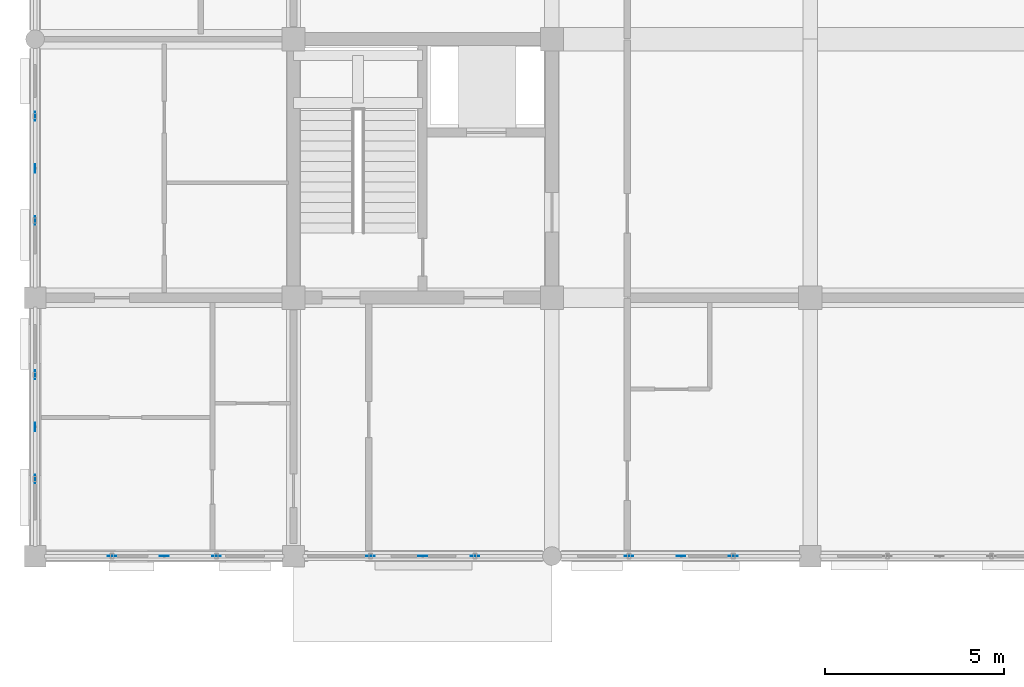
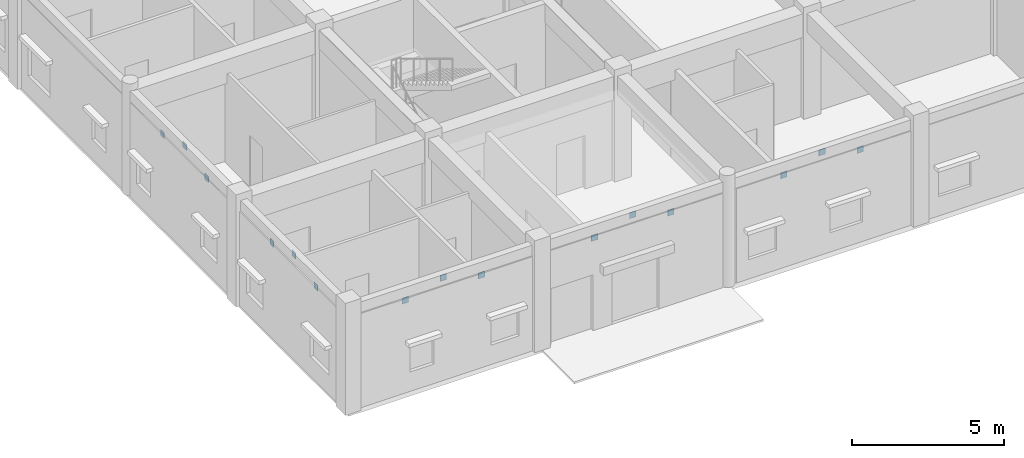
# One storey, part 64 of 138: 15 plates.
"""IFC4 building model written with IfcOpenShell, lengths in metres."""

from ifc_helpers import new_model, si_unit, direction, frame, origin, origin_2d, place, context, subcontext, project, spatial, rectangle, extrude, material, layer, layer_set, type_object, element, save


model = new_model("IFC4")

# Units and contexts
model_context = context("Model", 3, precision=1e-05, world=origin(), true_north=direction((0.0, 1.0)))
body_context = subcontext(model_context, "Body", "Model", "MODEL_VIEW")
ifc_project = project(units=[si_unit("LENGTHUNIT", "METRE"), si_unit("AREAUNIT", "SQUARE_METRE"), si_unit("VOLUMEUNIT", "CUBIC_METRE"), si_unit("PLANEANGLEUNIT", "RADIAN"), si_unit("MASSUNIT", "GRAM", prefix="KILO"), si_unit("THERMODYNAMICTEMPERATUREUNIT", "KELVIN"), si_unit("POWERUNIT", "WATT")], contexts=[model_context])

# Site, building, storey
site_placement = place(None, origin())
site = spatial("IfcSite", under=ifc_project, at=site_placement, CompositionType="ELEMENT")
building_placement = place(site_placement, origin())
building = spatial("IfcBuilding", under=site, at=building_placement, Name="Tavuni Mirador Residences", CompositionType="ELEMENT")
storey_placement = place(building_placement, origin())
storey = spatial("IfcBuildingStorey", under=building, at=storey_placement, Name="L00", CompositionType="ELEMENT", Elevation=0.0)

# Plates
ifc_material = material(Name="Structural steel S355", Category="steel")
ifc_layer = layer(ifc_material, 0.01806640625, Name="Structural steel S355", Category="steel")
ifc_layer_set = layer_set([ifc_layer], Name="Structural steel S355")
plate_type = type_object("IfcPlateType", Name="PLT-GP05", PredefinedType="USERDEFINED", material=ifc_layer_set)
for number, where, z_axis, x_axis, name in (
    (1, (3.60009765625, 9.347900390625, 3.4814453125), (0.0, 0.0, 1.0), (1.0, 0.0, 0.0), "ARCH-BLKA-W-00-GQ1"),
    (2, (3.60009765625, 10.800048828125, 3.89013671875), (0.0, 0.0, 1.0), (1.0, 0.0, 0.0), "ARCH-BLKA-W-00-GCR"),
    (3, (3.60009765625, 12.251953125, 3.4814453125), (0.0, 0.0, 1.0), (1.0, 0.0, 0.0), "ARCH-BLKA-W-00-GQ2"),
    (4, (3.60009765625, 16.548095703125, 3.4814453125), (0.0, 0.0, 1.0), (1.0, 0.0, 0.0), "ARCH-BLKA-W-01-GQ1"),
    (5, (3.60009765625, 18.0, 3.89013671875), (0.0, 0.0, 1.0), (1.0, 0.0, 0.0), "ARCH-BLKA-W-01-GCR"),
    (6, (3.60009765625, 19.451904296875, 3.4814453125), (0.0, 0.0, 1.0), (1.0, 0.0, 0.0), "ARCH-BLKA-W-01-GQ2"),
):
    element("IfcPlate", number, at=place(storey_placement, frame(where, z_axis=z_axis, x_axis=x_axis)), inside=storey, type_object=plate_type, Name=name, ObjectType="GUSSET PLATE", PredefinedType="USERDEFINED", context=body_context, shape_type="SweptSolid", body=[
        extrude(rectangle(XDim=0.02001953125, YDim=0.239990234375, at=origin_2d()), origin(), (0.0, 0.0, 1.0), 0.239990234375),
    ])
for number, where, z_axis, x_axis, name in (
    (7, (5.748046875, 7.199951171875, 3.4814453125), (0.0, 0.0, 1.0), (1.0, 0.0, 0.0), "ARCH-BLKA-S-00-GQ1"),
    (8, (7.199951171875, 7.199951171875, 3.89013671875), (0.0, 0.0, 1.0), (1.0, 0.0, 0.0), "ARCH-BLKA-S-00-GCR"),
    (9, (8.652099609375, 7.199951171875, 3.4814453125), (0.0, 0.0, 1.0), (1.0, 0.0, 0.0), "ARCH-BLKA-S-00-GQ2"),
    (10, (12.947998046875, 7.199951171875, 3.4814453125), (0.0, 0.0, 1.0), (1.0, 0.0, 0.0), "ARCH-BLKA-S-01-GQ1"),
    (11, (14.39990234375, 7.199951171875, 3.89013671875), (0.0, 0.0, 1.0), (1.0, 0.0, 0.0), "ARCH-BLKA-S-01-GCR"),
    (12, (15.85205078125, 7.199951171875, 3.4814453125), (0.0, 0.0, 1.0), (1.0, 0.0, 0.0), "ARCH-BLKA-S-01-GQ2"),
    (13, (20.14794921875, 7.199951171875, 3.4814453125), (0.0, 0.0, 1.0), (1.0, 0.0, 0.0), "ARCH-BLKA-S-02-GQ1"),
    (14, (21.60009765625, 7.199951171875, 3.89013671875), (0.0, 0.0, 1.0), (1.0, 0.0, 0.0), "ARCH-BLKA-S-02-GCR"),
    (15, (23.052001953125, 7.199951171875, 3.4814453125), (0.0, 0.0, 1.0), (1.0, 0.0, 0.0), "ARCH-BLKA-S-02-GQ2"),
):
    element("IfcPlate", number, at=place(storey_placement, frame(where, z_axis=z_axis, x_axis=x_axis)), inside=storey, type_object=plate_type, Name=name, ObjectType="GUSSET PLATE", PredefinedType="USERDEFINED", context=body_context, shape_type="SweptSolid", body=[
        extrude(rectangle(XDim=0.239990234375, YDim=0.02001953125, at=origin_2d()), origin(), (0.0, 0.0, 1.0), 0.239990234375),
    ])

save(model, "model.ifc")
